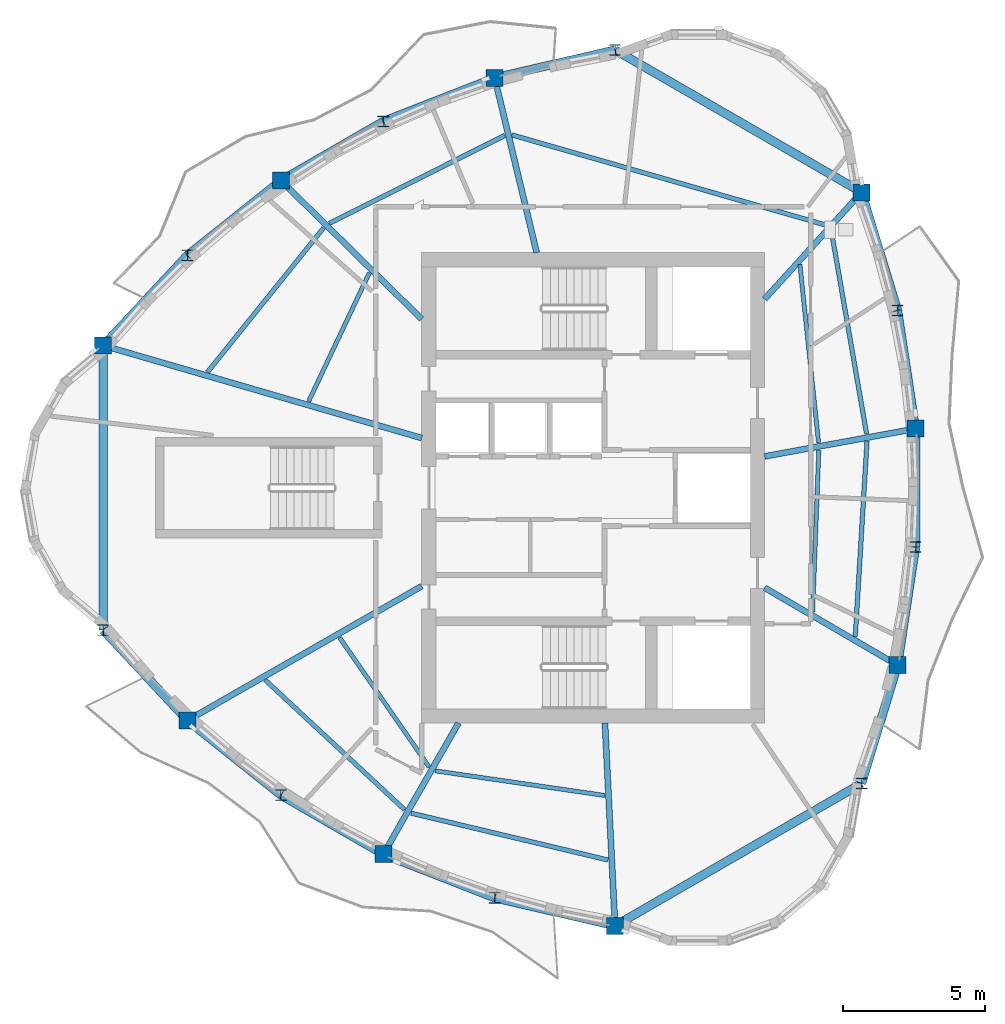
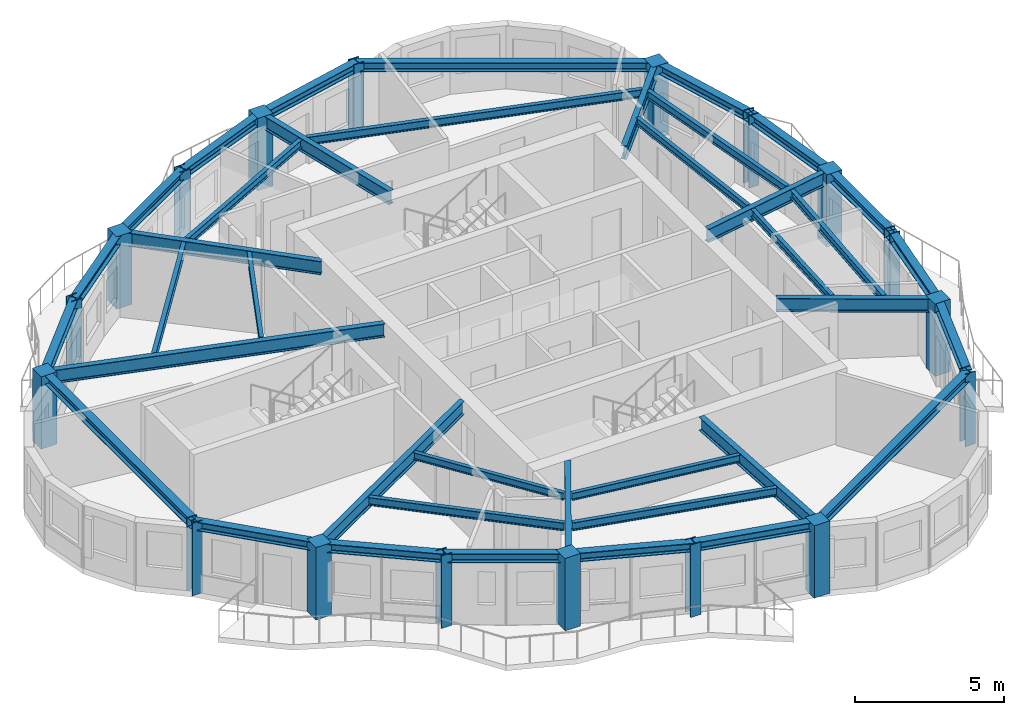
# One storey, part 1 of 11: 39 beams, 18 columns.
"""IFC4 building model written with IfcOpenShell, lengths in metres."""

import ifcopenshell
import ifcopenshell.guid

model = None  # the IFC model being written
_history = None  # IfcOwnerHistory: only IFC2X3 demands one
_inside = {}  # id of a spatial element -> (the spatial element, [elements in it])
_under = {}  # id of a project, library or spatial element -> (it, [spatial elements below it])
_declared = {}  # id of a project -> (the project, [libraries it declares])
_typed = {}  # id of a type object -> (the type object, [elements of that type])
_made_of = {}  # id of a material, layer set ... -> (it, [elements and type objects made of it])


def new_model(schema):
    """Start an empty IFC model of exactly this schema.

    Asked for "IFC4X3", IfcOpenShell would pick the latest addendum, in which some entities
    have other attributes; the version numbers below select the first issue.
    IFC2X3 requires an IfcOwnerHistory on every rooted entity: one is made here for all.
    """
    global model, _history
    if schema == "IFC4X3":
        model = ifcopenshell.file(schema_version=(4, 3, 0, 0))
    else:
        model = ifcopenshell.file(schema=schema)
    _inside.clear()
    _under.clear()
    _declared.clear()
    _typed.clear()
    _made_of.clear()
    _history = None
    if model.schema == "IFC2X3":
        org = make("IfcOrganization", Name="unknown")
        user = make(
            "IfcPersonAndOrganization",
            ThePerson=make("IfcPerson", FamilyName="unknown"),
            TheOrganization=org,
        )
        app = make(
            "IfcApplication",
            ApplicationDeveloper=org,
            Version="unknown",
            ApplicationFullName="unknown",
            ApplicationIdentifier="unknown",
        )
        _history = make(
            "IfcOwnerHistory",
            OwningUser=user,
            OwningApplication=app,
            ChangeAction="ADDED",
            CreationDate=0,
        )
    return model


def make(cls, **values):
    """One entity of the class cls with the attributes given. An attribute that is None is left unset."""
    return model.create_entity(
        cls, **{name: value for name, value in values.items() if value is not None}
    )


def rooted(cls, **values):
    """An entity with a GlobalId (a new one), such as an element, a storey or a relation."""
    return make(cls, GlobalId=ifcopenshell.guid.new(), OwnerHistory=_history, **values)


def si_unit(unit_type, name, prefix=None):
    """IfcSIUnit, for example si_unit("LENGTHUNIT", "METRE", prefix="MILLI")."""
    return make("IfcSIUnit", UnitType=unit_type, Prefix=prefix, Name=name)


def assignment(units):
    """IfcUnitAssignment: the units of a project."""
    return None if units is None else make("IfcUnitAssignment", Units=units)


def point(xyz):
    """IfcCartesianPoint."""
    return None if xyz is None else make("IfcCartesianPoint", Coordinates=xyz)


def direction(xyz):
    """IfcDirection."""
    return None if xyz is None else make("IfcDirection", DirectionRatios=xyz)


def frame(location, z_axis=None, x_axis=None):
    """IfcAxis2Placement3D, a coordinate frame: its origin and axes. An axis left out is left unset."""
    return make(
        "IfcAxis2Placement3D",
        Location=point(location),
        Axis=direction(z_axis),
        RefDirection=direction(x_axis),
    )


def frame_2d(location, x_axis=None):
    """IfcAxis2Placement2D, a coordinate frame in the plane: its origin and x axis."""
    return make(
        "IfcAxis2Placement2D", Location=point(location), RefDirection=direction(x_axis)
    )


def origin():
    """The frame at (0, 0, 0) with its axes left unset."""
    return frame((0.0, 0.0, 0.0))


def origin_2d():
    """The frame at (0, 0) in the plane with its x axis left unset."""
    return frame_2d((0.0, 0.0))


def place(relative_to, where):
    """IfcLocalPlacement: puts the frame where relative to a parent placement (None: the world)."""
    return make(
        "IfcLocalPlacement", PlacementRelTo=relative_to, RelativePlacement=where
    )


def context(
    kind, dimensions, precision=None, world=None, true_north=None, identifier=None
):
    """IfcGeometricRepresentationContext, for example the 3D "Model" context."""
    return make(
        "IfcGeometricRepresentationContext",
        ContextIdentifier=identifier,
        ContextType=kind,
        CoordinateSpaceDimension=dimensions,
        Precision=precision,
        WorldCoordinateSystem=world,
        TrueNorth=true_north,
    )


def subcontext(parent, identifier, kind, view, scale=None):
    """IfcGeometricRepresentationSubContext, for example "Body" below "Model"."""
    return make(
        "IfcGeometricRepresentationSubContext",
        ContextIdentifier=identifier,
        ContextType=kind,
        ParentContext=parent,
        TargetScale=scale,
        TargetView=view,
    )


def project(units=None, contexts=None):
    """IfcProject with its units and contexts."""
    return rooted(
        "IfcProject",
        Name="project",
        RepresentationContexts=contexts,
        UnitsInContext=assignment(units),
    )


def spatial(cls, under=None, at=None, **own):
    """A site, building, storey or space (cls), placed at a placement, below another one or the project."""
    s = rooted(cls, ObjectPlacement=at, **own)
    if under is not None:
        _under.setdefault(under.id(), (under, []))[1].append(s)
    return s


def profile(cls, at=None, kind="AREA", **sizes):
    """A parametric profile (cls). Its sizes go by their IFC names, for example OverallWidth=200.0."""
    return make(cls, ProfileType=kind, Position=at, **sizes)


def rectangle(**sizes):
    """IfcRectangleProfileDef."""
    return profile("IfcRectangleProfileDef", **sizes)


def i_section(**sizes):
    """IfcIShapeProfileDef."""
    return profile("IfcIShapeProfileDef", **sizes)


def extrude(swept, where, along, depth):
    """IfcExtrudedAreaSolid: the profile swept, set in the frame where, extruded along a direction by depth."""
    return make(
        "IfcExtrudedAreaSolid",
        SweptArea=swept,
        Position=where,
        ExtrudedDirection=direction(along),
        Depth=depth,
    )


def shape(context_of_items, identifier, shape_type, items):
    """IfcShapeRepresentation: the items that make up one representation, for example the "Body"."""
    return make(
        "IfcShapeRepresentation",
        ContextOfItems=context_of_items,
        RepresentationIdentifier=identifier,
        RepresentationType=shape_type,
        Items=items,
    )


def source(mapping_origin, context_of_items, identifier, shape_type, items):
    """IfcRepresentationMap: a shape defined once, which mapped items show again and again."""
    return make(
        "IfcRepresentationMap",
        MappingOrigin=mapping_origin,
        MappedRepresentation=shape(context_of_items, identifier, shape_type, items),
    )


def transform(
    local_origin,
    x_axis=None,
    y_axis=None,
    z_axis=None,
    scale=None,
    scale2=None,
    scale3=None,
    uniform=True,
):
    """IfcCartesianTransformationOperator3D, or its non-uniform kind. x_axis, y_axis, z_axis: its Axis1, 2, 3."""
    if uniform:
        return make(
            "IfcCartesianTransformationOperator3D",
            Axis1=direction(x_axis),
            Axis2=direction(y_axis),
            LocalOrigin=point(local_origin),
            Scale=scale,
            Axis3=direction(z_axis),
        )
    return make(
        "IfcCartesianTransformationOperator3DnonUniform",
        Axis1=direction(x_axis),
        Axis2=direction(y_axis),
        LocalOrigin=point(local_origin),
        Scale=scale,
        Axis3=direction(z_axis),
        Scale2=scale2,
        Scale3=scale3,
    )


def mapped(mapping_source, mapping_target):
    """IfcMappedItem: shows the shape of a source again, moved by a transform."""
    return make(
        "IfcMappedItem", MappingSource=mapping_source, MappingTarget=mapping_target
    )


def material(Name=None, Category=None):
    """IfcMaterial."""
    return make("IfcMaterial", Name=Name, Category=Category)


def material_profile(
    of_material, cross_section, Name=None, Category=None, Priority=None
):
    """IfcMaterialProfile: a cross section and its material."""
    return make(
        "IfcMaterialProfile",
        Name=Name,
        Material=of_material,
        Profile=cross_section,
        Priority=Priority,
        Category=Category,
    )


def profile_set(profiles, Name=None, composite=None):
    """IfcMaterialProfileSet."""
    return make(
        "IfcMaterialProfileSet",
        Name=Name,
        MaterialProfiles=profiles,
        CompositeProfile=composite,
    )


def made_of(thing, what):
    """Note that an element or type object is made of a material, layer set ...; save() writes the relation."""
    if what is not None:
        _made_of.setdefault(what.id(), (what, []))[1].append(thing)
    return thing


def type_object(cls, material=None, **own):
    """A type object (cls), such as IfcWallType, which elements share."""
    return made_of(rooted(cls, **own), material)


def element(
    cls,
    number,
    at=None,
    inside=None,
    cuts=None,
    type_object=None,
    material=None,
    context=None,
    identifier="Body",
    shape_type=None,
    held_by="IfcProductDefinitionShape",
    body=None,
    shapes=None,
    **own,
):
    """One element of the class cls, such as IfcWall. Its Tag is "e" and its number.

    at: its placement. inside: the storey or other place that contains it. cuts: it is an
    opening in that element (IfcRelVoidsElement). A single representation is given by context,
    identifier, shape_type and body (its items); several are given by shapes. held_by: the class
    of the entity that holds the representations. save() writes the other relations.
    """
    e = rooted(cls, Tag="e%d" % number, ObjectPlacement=at, **own)
    if body is not None:
        shapes = [shape(context, identifier, shape_type, body)]
    if shapes is not None:
        e.Representation = make(held_by, Representations=shapes)
    if inside is not None:
        _inside.setdefault(inside.id(), (inside, []))[1].append(e)
    if cuts is not None:
        rooted(
            "IfcRelVoidsElement", RelatingBuildingElement=cuts, RelatedOpeningElement=e
        )
    if type_object is not None:
        _typed.setdefault(type_object.id(), (type_object, []))[1].append(e)
    return made_of(e, material)


def aggregate(whole, parts):
    """IfcRelAggregates: a whole, such as a stair, and the parts it consists of."""
    return rooted("IfcRelAggregates", RelatingObject=whole, RelatedObjects=parts)


def save(model, path):
    """Write the relations noted so far, then the file.

    IfcRelAggregates (storeys below a building ...), IfcRelContainedInSpatialStructure (elements
    in a storey), IfcRelDefinesByType, IfcRelAssociatesMaterial and IfcRelDeclares: one each for
    every whole, place, type object, material and project.
    """
    for whole, parts in _under.values():
        aggregate(whole, parts)
    for where, things in _inside.values():
        rooted(
            "IfcRelContainedInSpatialStructure",
            RelatedElements=things,
            RelatingStructure=where,
        )
    for kind, things in _typed.values():
        rooted("IfcRelDefinesByType", RelatedObjects=things, RelatingType=kind)
    for what, things in _made_of.values():
        rooted("IfcRelAssociatesMaterial", RelatedObjects=things, RelatingMaterial=what)
    for by, libraries in _declared.values():
        rooted("IfcRelDeclares", RelatingContext=by, RelatedDefinitions=libraries)
    model.write(path)


model = new_model("IFC4")

# Units and contexts
model_context = context("Model", 3, precision=1e-05, world=origin(), true_north=direction((0.0, 1.0)))
body_context = subcontext(model_context, "Body", "Model", "MODEL_VIEW")
ifc_project = project(units=[si_unit("LENGTHUNIT", "METRE"), si_unit("AREAUNIT", "SQUARE_METRE"), si_unit("VOLUMEUNIT", "CUBIC_METRE"), si_unit("PLANEANGLEUNIT", "RADIAN"), si_unit("MASSUNIT", "GRAM", prefix="KILO")], contexts=[model_context])

# Site, building, storey
site_placement = place(None, origin())
site = spatial("IfcSite", under=ifc_project, at=site_placement, CompositionType="ELEMENT")
building_placement = place(site_placement, origin())
building = spatial("IfcBuilding", under=site, at=building_placement, Name="Qafzar Sky-Pleat Residences", CompositionType="ELEMENT")
storey_placement = place(building_placement, frame((0.0, 0.0, 227.60009765625)))
storey = spatial("IfcBuildingStorey", under=building, at=storey_placement, Name="L68", CompositionType="ELEMENT", Elevation=227.60009765625)

# Columns
ifc_material_1 = material(Name="Concrete C50/60", Category="concrete")
ifc_material_profile_1 = material_profile(ifc_material_1, rectangle(XDim=0.60009765625, YDim=0.60009765625, at=origin_2d()), Name="RC 600x600")
ifc_profile_set_1 = profile_set([ifc_material_profile_1], Name="Concrete C50/60")
column_type_1 = type_object("IfcColumnType", Name="COL-RC-600", PredefinedType="COLUMN", material=ifc_profile_set_1)
shared_shape_1 = source(origin(), body_context, "Body", "SweptSolid", [
    extrude(rectangle(XDim=0.60009765625, YDim=0.60009765625, at=origin_2d()), origin(), (0.0, 0.0, 1.0), 2.9599609375),
])
for number, where, z_axis, x_axis, name in (
    (1, (13.054931640625, 31.02294921875, 0.0), (0.0, 0.0, 1.0), (1.0, 0.0, 0.0), "L68 Perimeter Mega Column 1"),
    (2, (16.0341796875, 17.792236328125, 0.0), (0.0, 0.0, 1.0), (1.0, 0.0, 0.0), "L68 Perimeter Mega Column 3"),
    (3, (22.944091796875, 13.070556640625, 0.0), (0.0, 0.0, 1.0), (1.0, 0.0, 0.0), "L68 Perimeter Mega Column 5"),
    (4, (31.12255859375, 10.5458984375, 0.0), (0.0, 0.0, 1.0), (1.0, 0.0, 0.0), "L68 Perimeter Mega Column 7"),
    (5, (41.0908203125, 19.7412109375, 0.0), (0.0, 0.0, 1.0), (1.0, 0.0, 0.0), "L68 Perimeter Mega Column 9"),
    (6, (41.72509765625, 28.086181640625, 0.0), (0.0, 0.0, 1.0), (1.0, 0.0, 0.0), "L68 Perimeter Mega Column 11"),
    (7, (39.822509765625, 36.431396484375, 0.0), (0.0, 0.0, 1.0), (1.0, 0.0, 0.0), "L68 Perimeter Mega Column 13"),
    (8, (26.874755859375, 40.466552734375, 0.0), (0.0, 0.0, 1.0), (1.0, 0.0, 0.0), "L68 Perimeter Mega Column 15"),
    (9, (19.330810546875, 36.84326171875, 0.0), (0.0, 0.0, 1.0), (1.0, 0.0, 0.0), "L68 Perimeter Mega Column 17"),
):
    element("IfcColumn", number, at=place(storey_placement, frame(where, z_axis=z_axis, x_axis=x_axis)), inside=storey, type_object=column_type_1, Name=name, PredefinedType="COLUMN", context=body_context, shape_type="MappedRepresentation", body=[
        mapped(shared_shape_1, transform((0.0, 0.0, 0.0), x_axis=(1.0, 0.0, 0.0), y_axis=(0.0, 1.0, 0.0), z_axis=(0.0, 0.0, 1.0), scale=1.0)),
    ])
ifc_material_2 = material(Name="Steel S355", Category="steel")
ifc_material_profile_2 = material_profile(ifc_material_2, i_section(OverallWidth=0.39794921875, OverallDepth=0.386962890625, WebThickness=0.01904296875, FlangeThickness=0.030029296875, FilletRadius=0.014892578125, at=origin_2d()), Name="HD 400x262")
ifc_profile_set_2 = profile_set([ifc_material_profile_2], Name="Steel S355")
column_type_2 = type_object("IfcColumnType", Name="COL-STL-HD262", PredefinedType="PILASTER", material=ifc_profile_set_2)
shared_shape_2 = source(origin(), body_context, "Body", "SweptSolid", [
    extrude(i_section(OverallWidth=0.39794921875, OverallDepth=0.386962890625, WebThickness=0.01904296875, FlangeThickness=0.030029296875, FilletRadius=0.014892578125, at=origin_2d()), origin(), (0.0, 0.0, 1.0), 2.9599609375),
])
for number, where, z_axis, x_axis, name in (
    (10, (13.054931640625, 20.97705078125, 0.0), (0.0, 0.0, 1.0), (1.0, 0.0, 0.0), "L68 Perimeter Mega Column 2"),
    (11, (19.330810546875, 15.15673828125, 0.0), (0.0, 0.0, 1.0), (1.0, 0.0, 0.0), "L68 Perimeter Mega Column 4"),
    (12, (26.874755859375, 11.533447265625, 0.0), (0.0, 0.0, 1.0), (1.0, 0.0, 0.0), "L68 Perimeter Mega Column 6"),
    (13, (39.822509765625, 15.568603515625, 0.0), (0.0, 0.0, 1.0), (1.0, 0.0, 0.0), "L68 Perimeter Mega Column 8"),
    (14, (41.72509765625, 23.913818359375, 0.0), (0.0, 0.0, 1.0), (1.0, 0.0, 0.0), "L68 Perimeter Mega Column 10"),
    (15, (41.0908203125, 32.2587890625, 0.0), (0.0, 0.0, 1.0), (1.0, 0.0, 0.0), "L68 Perimeter Mega Column 12"),
    (16, (31.12255859375, 41.4541015625, 0.0), (0.0, 0.0, 1.0), (1.0, 0.0, 0.0), "L68 Perimeter Mega Column 14"),
    (17, (22.944091796875, 38.929443359375, 0.0), (0.0, 0.0, 1.0), (1.0, 0.0, 0.0), "L68 Perimeter Mega Column 16"),
    (18, (16.0341796875, 34.207763671875, 0.0), (0.0, 0.0, 1.0), (1.0, 0.0, 0.0), "L68 Perimeter Mega Column 18"),
):
    element("IfcColumn", number, at=place(storey_placement, frame(where, z_axis=z_axis, x_axis=x_axis)), inside=storey, type_object=column_type_2, Name=name, PredefinedType="PILASTER", context=body_context, shape_type="MappedRepresentation", body=[
        mapped(shared_shape_2, transform((0.0, 0.0, 0.0), x_axis=(1.0, 0.0, 0.0), y_axis=(0.0, 1.0, 0.0), z_axis=(0.0, 0.0, 1.0), scale=1.0)),
    ])

# Beams
ifc_material_profile_3 = material_profile(ifc_material_2, i_section(OverallWidth=0.300048828125, OverallDepth=0.360107421875, WebThickness=0.012451171875, FlangeThickness=0.0224609375, FilletRadius=0.027099609375, at=origin_2d()), Name="HEB 360")
ifc_profile_set_3 = profile_set([ifc_material_profile_3], Name="Steel S355")
beam_type_1 = type_object("IfcBeamType", Name="BM-SPAN-HEB360", PredefinedType="SPANDREL", material=ifc_profile_set_3)
shared_shape_3 = source(origin(), body_context, "Body", "SweptSolid", [
    extrude(i_section(OverallWidth=0.300048828125, OverallDepth=0.360107421875, WebThickness=0.012451171875, FlangeThickness=0.0224609375, FilletRadius=0.027099609375, at=origin_2d()), origin(), (0.0, 0.0, 1.0), 10.0458984375),
])
beam_1_placement = place(storey_placement, frame((13.054931640625, 31.02294921875, 2.77783203125), z_axis=(0.0, -1.0, 0.0), x_axis=(1.0, 0.0, 0.0)))
element("IfcBeam", 19, at=beam_1_placement, inside=storey, type_object=beam_type_1, Name="L68 Perimeter Spandrel Beam 1", PredefinedType="SPANDREL", context=body_context, shape_type="MappedRepresentation", body=[
    mapped(shared_shape_3, transform((0.0, 0.0, 0.0), x_axis=(1.0, 0.0, 0.0), y_axis=(0.0, 1.0, 0.0), z_axis=(0.0, 0.0, 1.0), scale=1.0)),
])
shared_shape_4 = source(origin(), body_context, "Body", "SweptSolid", [
    extrude(i_section(OverallWidth=0.300048828125, OverallDepth=0.360107421875, WebThickness=0.012451171875, FlangeThickness=0.0224609375, FilletRadius=0.027099609375, at=origin_2d()), origin(), (0.0, 0.0, 1.0), 4.361083984375),
])
for number, where, z_axis, x_axis, name in (
    (20, (13.054931640625, 20.97705078125, 2.77783203125), (0.683145571965, -0.730282224558, 0.0), (0.730282224558, 0.683145571965, 0.0), "L68 Perimeter Spandrel Beam 2"),
    (21, (26.874755859375, 11.533447265625, 2.77783203125), (0.974023822453, -0.226445563643, 0.0), (0.226445563643, 0.974023822453, 0.0), "L68 Perimeter Spandrel Beam 6"),
    (22, (39.822509765625, 15.568603515625, 2.77783203125), (0.290822997681, 0.956776872641, 0.0), (-0.956776872641, 0.290822997681, 0.0), "L68 Perimeter Spandrel Beam 8"),
    (23, (41.0908203125, 32.2587890625, 2.77783203125), (-0.290822997681, 0.956776872641, 0.0), (-0.956776872641, -0.290822997681, 0.0), "L68 Perimeter Spandrel Beam 12"),
    (24, (31.12255859375, 41.4541015625, 2.77783203125), (-0.974023822453, -0.226445563643, 0.0), (0.226445563643, -0.974023822453, 0.0), "L68 Perimeter Spandrel Beam 14"),
    (25, (16.0341796875, 34.207763671875, 2.77783203125), (-0.683145571965, -0.730282224558, 0.0), (0.730282224558, -0.683145571965, 0.0), "L68 Perimeter Spandrel Beam 18"),
):
    element("IfcBeam", number, at=place(storey_placement, frame(where, z_axis=z_axis, x_axis=x_axis)), inside=storey, type_object=beam_type_1, Name=name, PredefinedType="SPANDREL", context=body_context, shape_type="MappedRepresentation", body=[
        mapped(shared_shape_4, transform((0.0, 0.0, 0.0), x_axis=(1.0, 0.0, 0.0), y_axis=(0.0, 1.0, 0.0), z_axis=(0.0, 0.0, 1.0), scale=1.0)),
    ])
shared_shape_5 = source(origin(), body_context, "Body", "SweptSolid", [
    extrude(i_section(OverallWidth=0.300048828125, OverallDepth=0.360107421875, WebThickness=0.012451171875, FlangeThickness=0.0224609375, FilletRadius=0.027099609375, at=origin_2d()), origin(), (0.0, 0.0, 1.0), 4.220703125),
])
for number, where, z_axis, x_axis, name in (
    (26, (16.0341796875, 17.792236328125, 2.77783203125), (0.781077571238, -0.624434005888, 0.0), (0.624434005888, 0.781077571238, 0.0), "L68 Perimeter Spandrel Beam 3"),
    (27, (19.330810546875, 36.84326171875, 2.77783203125), (-0.781077571238, -0.624434005888, 0.0), (0.624434005888, -0.781077571238, 0.0), "L68 Perimeter Spandrel Beam 17"),
):
    element("IfcBeam", number, at=place(storey_placement, frame(where, z_axis=z_axis, x_axis=x_axis)), inside=storey, type_object=beam_type_1, Name=name, PredefinedType="SPANDREL", context=body_context, shape_type="MappedRepresentation", body=[
        mapped(shared_shape_5, transform((0.0, 0.0, 0.0), x_axis=(1.0, 0.0, 0.0), y_axis=(0.0, 1.0, 0.0), z_axis=(0.0, 0.0, 1.0), scale=1.0)),
    ])
shared_shape_6 = source(origin(), body_context, "Body", "SweptSolid", [
    extrude(i_section(OverallWidth=0.300048828125, OverallDepth=0.360107421875, WebThickness=0.012451171875, FlangeThickness=0.0224609375, FilletRadius=0.027099609375, at=origin_2d()), origin(), (0.0, 0.0, 1.0), 4.17236328125),
])
for number, where, z_axis, x_axis, name in (
    (28, (19.330810546875, 15.15673828125, 2.77783203125), (0.866019930389, -0.500009480079, 0.0), (0.500009480079, 0.866019930389, 0.0), "L68 Perimeter Spandrel Beam 4"),
    (29, (41.72509765625, 23.913818359375, 2.77783203125), (0.0, 1.0, 0.0), (-1.0, 0.0, 0.0), "L68 Perimeter Spandrel Beam 10"),
    (30, (22.944091796875, 38.929443359375, 2.77783203125), (-0.866019930389, -0.500009480079, 0.0), (0.500009480079, -0.866019930389, 0.0), "L68 Perimeter Spandrel Beam 16"),
):
    element("IfcBeam", number, at=place(storey_placement, frame(where, z_axis=z_axis, x_axis=x_axis)), inside=storey, type_object=beam_type_1, Name=name, PredefinedType="SPANDREL", context=body_context, shape_type="MappedRepresentation", body=[
        mapped(shared_shape_6, transform((0.0, 0.0, 0.0), x_axis=(1.0, 0.0, 0.0), y_axis=(0.0, 1.0, 0.0), z_axis=(0.0, 0.0, 1.0), scale=1.0)),
    ])
shared_shape_7 = source(origin(), body_context, "Body", "SweptSolid", [
    extrude(i_section(OverallWidth=0.300048828125, OverallDepth=0.360107421875, WebThickness=0.012451171875, FlangeThickness=0.0224609375, FilletRadius=0.027099609375, at=origin_2d()), origin(), (0.0, 0.0, 1.0), 4.220458984375),
])
for number, where, z_axis, x_axis, name in (
    (31, (22.944091796875, 13.070556640625, 2.77783203125), (0.931321276977, -0.364198680736, 0.0), (0.364198680736, 0.931321276977, 0.0), "L68 Perimeter Spandrel Beam 5"),
    (32, (41.0908203125, 19.7412109375, 2.77783203125), (0.150283446733, 0.988642951544, 0.0), (-0.988642951544, 0.150283446733, 0.0), "L68 Perimeter Spandrel Beam 9"),
    (33, (41.72509765625, 28.086181640625, 2.77783203125), (-0.150283446733, 0.988642951544, 0.0), (-0.988642951544, -0.150283446733, 0.0), "L68 Perimeter Spandrel Beam 11"),
    (34, (26.874755859375, 40.466552734375, 2.77783203125), (-0.931321276977, -0.364198680736, 0.0), (0.364198680736, -0.931321276977, 0.0), "L68 Perimeter Spandrel Beam 15"),
):
    element("IfcBeam", number, at=place(storey_placement, frame(where, z_axis=z_axis, x_axis=x_axis)), inside=storey, type_object=beam_type_1, Name=name, PredefinedType="SPANDREL", context=body_context, shape_type="MappedRepresentation", body=[
        mapped(shared_shape_7, transform((0.0, 0.0, 0.0), x_axis=(1.0, 0.0, 0.0), y_axis=(0.0, 1.0, 0.0), z_axis=(0.0, 0.0, 1.0), scale=1.0)),
    ])
shared_shape_8 = source(origin(), body_context, "Body", "SweptSolid", [
    extrude(i_section(OverallWidth=0.300048828125, OverallDepth=0.360107421875, WebThickness=0.012451171875, FlangeThickness=0.0224609375, FilletRadius=0.027099609375, at=origin_2d()), origin(), (0.0, 0.0, 1.0), 10.045654296875),
])
for number, where, z_axis, x_axis, name in (
    (35, (31.12255859375, 10.5458984375, 2.77783203125), (0.866034631067, 0.499984017537, 0.0), (-0.499984017537, 0.866034631067, 0.0), "L68 Perimeter Spandrel Beam 7"),
    (36, (39.822509765625, 36.431396484375, 2.77783203125), (-0.866034631067, 0.499984017537, 0.0), (-0.499984017537, -0.866034631067, 0.0), "L68 Perimeter Spandrel Beam 13"),
):
    element("IfcBeam", number, at=place(storey_placement, frame(where, z_axis=z_axis, x_axis=x_axis)), inside=storey, type_object=beam_type_1, Name=name, PredefinedType="SPANDREL", context=body_context, shape_type="MappedRepresentation", body=[
        mapped(shared_shape_8, transform((0.0, 0.0, 0.0), x_axis=(1.0, 0.0, 0.0), y_axis=(0.0, 1.0, 0.0), z_axis=(0.0, 0.0, 1.0), scale=1.0)),
    ])
ifc_material_profile_4 = material_profile(ifc_material_2, i_section(OverallWidth=0.2099609375, OverallDepth=0.550048828125, WebThickness=0.010986328125, FlangeThickness=0.01708984375, FilletRadius=0.02392578125, at=origin_2d()), Name="IPE 550")
ifc_profile_set_4 = profile_set([ifc_material_profile_4], Name="Steel S355")
beam_type_2 = type_object("IfcBeamType", Name="BM-SEC-IPE550", PredefinedType="BEAM", material=ifc_profile_set_4)
shared_shape_9 = source(origin(), body_context, "Body", "SweptSolid", [
    extrude(i_section(OverallWidth=0.2099609375, OverallDepth=0.550048828125, WebThickness=0.010986328125, FlangeThickness=0.01708984375, FilletRadius=0.02392578125, at=origin_2d()), origin(), (0.0, 0.0, 1.0), 11.709716796875),
])
beam_2_placement = place(storey_placement, frame((13.054931640625, 31.02294921875, 2.682861328125), z_axis=(0.96031975059, -0.278901374373, 0.0), x_axis=(0.278901374373, 0.96031975059, 0.0)))
element("IfcBeam", 37, at=beam_2_placement, inside=storey, type_object=beam_type_2, Name="L68 Radial Floor Girder 1", PredefinedType="BEAM", context=body_context, shape_type="MappedRepresentation", body=[
    mapped(shared_shape_9, transform((0.0, 0.0, 0.0), x_axis=(1.0, 0.0, 0.0), y_axis=(0.0, 1.0, 0.0), z_axis=(0.0, 0.0, 1.0), scale=1.0)),
])
shared_shape_10 = source(origin(), body_context, "Body", "SweptSolid", [
    extrude(i_section(OverallWidth=0.2099609375, OverallDepth=0.550048828125, WebThickness=0.010986328125, FlangeThickness=0.01708984375, FilletRadius=0.02392578125, at=origin_2d()), origin(), (0.0, 0.0, 1.0), 9.528076171875),
])
beam_3_placement = place(storey_placement, frame((16.0341796875, 17.792236328125, 2.682861328125), z_axis=(0.86753426155, 0.497377427148, 0.0), x_axis=(-0.497377427148, 0.86753426155, 0.0)))
element("IfcBeam", 38, at=beam_3_placement, inside=storey, type_object=beam_type_2, Name="L68 Radial Floor Girder 3", PredefinedType="BEAM", context=body_context, shape_type="MappedRepresentation", body=[
    mapped(shared_shape_10, transform((0.0, 0.0, 0.0), x_axis=(1.0, 0.0, 0.0), y_axis=(0.0, 1.0, 0.0), z_axis=(0.0, 0.0, 1.0), scale=1.0)),
])
shared_shape_11 = source(origin(), body_context, "Body", "SweptSolid", [
    extrude(i_section(OverallWidth=0.2099609375, OverallDepth=0.550048828125, WebThickness=0.010986328125, FlangeThickness=0.01708984375, FilletRadius=0.02392578125, at=origin_2d()), origin(), (0.0, 0.0, 1.0), 5.335205078125),
])
beam_4_placement = place(storey_placement, frame((22.944091796875, 13.070556640625, 2.682861328125), z_axis=(0.497055288621, 0.867718871556, 0.0), x_axis=(-0.867718871556, 0.497055288621, 0.0)))
element("IfcBeam", 39, at=beam_4_placement, inside=storey, type_object=beam_type_2, Name="L68 Radial Floor Girder 5", PredefinedType="BEAM", context=body_context, shape_type="MappedRepresentation", body=[
    mapped(shared_shape_11, transform((0.0, 0.0, 0.0), x_axis=(1.0, 0.0, 0.0), y_axis=(0.0, 1.0, 0.0), z_axis=(0.0, 0.0, 1.0), scale=1.0)),
])
shared_shape_12 = source(origin(), body_context, "Body", "SweptSolid", [
    extrude(i_section(OverallWidth=0.2099609375, OverallDepth=0.550048828125, WebThickness=0.010986328125, FlangeThickness=0.01708984375, FilletRadius=0.02392578125, at=origin_2d()), origin(), (0.0, 0.0, 1.0), 7.1630859375),
])
beam_5_placement = place(storey_placement, frame((31.12255859375, 10.5458984375, 2.682861328125), z_axis=(-0.049932517148, 0.998752593855, 0.0), x_axis=(-0.998752593855, -0.049932517148, 0.0)))
element("IfcBeam", 40, at=beam_5_placement, inside=storey, type_object=beam_type_2, Name="L68 Radial Floor Girder 7", PredefinedType="BEAM", context=body_context, shape_type="MappedRepresentation", body=[
    mapped(shared_shape_12, transform((0.0, 0.0, 0.0), x_axis=(1.0, 0.0, 0.0), y_axis=(0.0, 1.0, 0.0), z_axis=(0.0, 0.0, 1.0), scale=1.0)),
])
shared_shape_13 = source(origin(), body_context, "Body", "SweptSolid", [
    extrude(i_section(OverallWidth=0.2099609375, OverallDepth=0.550048828125, WebThickness=0.010986328125, FlangeThickness=0.01708984375, FilletRadius=0.02392578125, at=origin_2d()), origin(), (0.0, 0.0, 1.0), 5.42919921875),
])
beam_6_placement = place(storey_placement, frame((41.0908203125, 19.7412109375, 2.682861328125), z_axis=(-0.864016925636, 0.503462761498, 0.0), x_axis=(-0.503462761498, -0.864016925636, 0.0)))
element("IfcBeam", 41, at=beam_6_placement, inside=storey, type_object=beam_type_2, Name="L68 Radial Floor Girder 9", PredefinedType="BEAM", context=body_context, shape_type="MappedRepresentation", body=[
    mapped(shared_shape_13, transform((0.0, 0.0, 0.0), x_axis=(1.0, 0.0, 0.0), y_axis=(0.0, 1.0, 0.0), z_axis=(0.0, 0.0, 1.0), scale=1.0)),
])
shared_shape_14 = source(origin(), body_context, "Body", "SweptSolid", [
    extrude(i_section(OverallWidth=0.2099609375, OverallDepth=0.550048828125, WebThickness=0.010986328125, FlangeThickness=0.01708984375, FilletRadius=0.02392578125, at=origin_2d()), origin(), (0.0, 0.0, 1.0), 5.4140625),
])
beam_7_placement = place(storey_placement, frame((41.72509765625, 28.086181640625, 2.682861328125), z_axis=(-0.983597491217, -0.180377313629, 0.0), x_axis=(0.180377313629, -0.983597491217, 0.0)))
element("IfcBeam", 42, at=beam_7_placement, inside=storey, type_object=beam_type_2, Name="L68 Radial Floor Girder 11", PredefinedType="BEAM", context=body_context, shape_type="MappedRepresentation", body=[
    mapped(shared_shape_14, transform((0.0, 0.0, 0.0), x_axis=(1.0, 0.0, 0.0), y_axis=(0.0, 1.0, 0.0), z_axis=(0.0, 0.0, 1.0), scale=1.0)),
])
shared_shape_15 = source(origin(), body_context, "Body", "SweptSolid", [
    extrude(i_section(OverallWidth=0.2099609375, OverallDepth=0.550048828125, WebThickness=0.010986328125, FlangeThickness=0.01708984375, FilletRadius=0.02392578125, at=origin_2d()), origin(), (0.0, 0.0, 1.0), 5.091064453125),
])
beam_8_placement = place(storey_placement, frame((39.822509765625, 36.431396484375, 2.682861328125), z_axis=(-0.672264541765, -0.740311006189, 0.0), x_axis=(0.740311006189, -0.672264541765, 0.0)))
element("IfcBeam", 43, at=beam_8_placement, inside=storey, type_object=beam_type_2, Name="L68 Radial Floor Girder 13", PredefinedType="BEAM", context=body_context, shape_type="MappedRepresentation", body=[
    mapped(shared_shape_15, transform((0.0, 0.0, 0.0), x_axis=(1.0, 0.0, 0.0), y_axis=(0.0, 1.0, 0.0), z_axis=(0.0, 0.0, 1.0), scale=1.0)),
])
shared_shape_16 = source(origin(), body_context, "Body", "SweptSolid", [
    extrude(i_section(OverallWidth=0.2099609375, OverallDepth=0.550048828125, WebThickness=0.010986328125, FlangeThickness=0.01708984375, FilletRadius=0.02392578125, at=origin_2d()), origin(), (0.0, 0.0, 1.0), 6.342041015625),
])
beam_9_placement = place(storey_placement, frame((26.874755859375, 40.466552734375, 2.682861328125), z_axis=(0.233594255251, -0.972334162679, 0.0), x_axis=(0.972334162679, 0.233594255251, 0.0)))
element("IfcBeam", 44, at=beam_9_placement, inside=storey, type_object=beam_type_2, Name="L68 Radial Floor Girder 15", PredefinedType="BEAM", context=body_context, shape_type="MappedRepresentation", body=[
    mapped(shared_shape_16, transform((0.0, 0.0, 0.0), x_axis=(1.0, 0.0, 0.0), y_axis=(0.0, 1.0, 0.0), z_axis=(0.0, 0.0, 1.0), scale=1.0)),
])
shared_shape_17 = source(origin(), body_context, "Body", "SweptSolid", [
    extrude(i_section(OverallWidth=0.2099609375, OverallDepth=0.550048828125, WebThickness=0.010986328125, FlangeThickness=0.01708984375, FilletRadius=0.02392578125, at=origin_2d()), origin(), (0.0, 0.0, 1.0), 6.9716796875),
])
beam_10_placement = place(storey_placement, frame((19.330810546875, 36.84326171875, 2.682861328125), z_axis=(0.712774452221, -0.701393313527, 0.0), x_axis=(0.701393313527, 0.712774452221, 0.0)))
element("IfcBeam", 45, at=beam_10_placement, inside=storey, type_object=beam_type_2, Name="L68 Radial Floor Girder 17", PredefinedType="BEAM", context=body_context, shape_type="MappedRepresentation", body=[
    mapped(shared_shape_17, transform((0.0, 0.0, 0.0), x_axis=(1.0, 0.0, 0.0), y_axis=(0.0, 1.0, 0.0), z_axis=(0.0, 0.0, 1.0), scale=1.0)),
])
ifc_material_profile_5 = material_profile(ifc_material_2, i_section(OverallWidth=0.159912109375, OverallDepth=0.330078125, WebThickness=0.007568359375, FlangeThickness=0.011474609375, FilletRadius=0.01806640625, at=origin_2d()), Name="IPE 330")
ifc_profile_set_5 = profile_set([ifc_material_profile_5], Name="Steel S355")
beam_type_3 = type_object("IfcBeamType", Name="BM-JST-IPE330", PredefinedType="JOIST", material=ifc_profile_set_5)
shared_shape_18 = source(origin(), body_context, "Body", "SweptSolid", [
    extrude(i_section(OverallWidth=0.159912109375, OverallDepth=0.330078125, WebThickness=0.007568359375, FlangeThickness=0.011474609375, FilletRadius=0.01806640625, at=origin_2d()), origin(), (0.0, 0.0, 1.0), 6.7138671875),
])
beam_11_placement = place(storey_placement, frame((18.7783203125, 19.216796875, 2.79296875), z_axis=(0.732155950712, -0.681137037488, 0.0), x_axis=(0.681137037488, 0.732155950712, 0.0)))
element("IfcBeam", 46, at=beam_11_placement, inside=storey, type_object=beam_type_3, Name="L68 Outer Secondary Floor Joist 2", PredefinedType="JOIST", context=body_context, shape_type="MappedRepresentation", body=[
    mapped(shared_shape_18, transform((0.0, 0.0, 0.0), x_axis=(1.0, 0.0, 0.0), y_axis=(0.0, 1.0, 0.0), z_axis=(0.0, 0.0, 1.0), scale=1.0)),
])
shared_shape_19 = source(origin(), body_context, "Body", "SweptSolid", [
    extrude(i_section(OverallWidth=0.159912109375, OverallDepth=0.330078125, WebThickness=0.007568359375, FlangeThickness=0.011474609375, FilletRadius=0.01806640625, at=origin_2d()), origin(), (0.0, 0.0, 1.0), 7.146728515625),
])
beam_12_placement = place(storey_placement, frame((23.924072265625, 14.520751953125, 2.79296875), z_axis=(0.972840658281, -0.231475816438, 0.0), x_axis=(0.231475816438, 0.972840658281, 0.0)))
element("IfcBeam", 47, at=beam_12_placement, inside=storey, type_object=beam_type_3, Name="L68 Outer Secondary Floor Joist 3", PredefinedType="JOIST", context=body_context, shape_type="MappedRepresentation", body=[
    mapped(shared_shape_19, transform((0.0, 0.0, 0.0), x_axis=(1.0, 0.0, 0.0), y_axis=(0.0, 1.0, 0.0), z_axis=(0.0, 0.0, 1.0), scale=1.0)),
])
shared_shape_20 = source(origin(), body_context, "Body", "SweptSolid", [
    extrude(i_section(OverallWidth=0.159912109375, OverallDepth=0.330078125, WebThickness=0.007568359375, FlangeThickness=0.011474609375, FilletRadius=0.01806640625, at=origin_2d()), origin(), (0.0, 0.0, 1.0), 6.90087890625),
])
beam_13_placement = place(storey_placement, frame((39.597900390625, 20.75048828125, 2.79296875), z_axis=(0.060142571509, 0.998189797129, 0.0), x_axis=(-0.998189797129, 0.060142571509, 0.0)))
element("IfcBeam", 48, at=beam_13_placement, inside=storey, type_object=beam_type_3, Name="L68 Outer Secondary Floor Joist 5", PredefinedType="JOIST", context=body_context, shape_type="MappedRepresentation", body=[
    mapped(shared_shape_20, transform((0.0, 0.0, 0.0), x_axis=(1.0, 0.0, 0.0), y_axis=(0.0, 1.0, 0.0), z_axis=(0.0, 0.0, 1.0), scale=1.0)),
])
shared_shape_21 = source(origin(), body_context, "Body", "SweptSolid", [
    extrude(i_section(OverallWidth=0.159912109375, OverallDepth=0.330078125, WebThickness=0.007568359375, FlangeThickness=0.011474609375, FilletRadius=0.01806640625, at=origin_2d()), origin(), (0.0, 0.0, 1.0), 7.29296875),
])
beam_14_placement = place(storey_placement, frame((39.998046875, 27.90673828125, 2.79296875), z_axis=(-0.171061445114, 0.985260362542, 0.0), x_axis=(-0.985260362542, -0.171061445114, 0.0)))
element("IfcBeam", 49, at=beam_14_placement, inside=storey, type_object=beam_type_3, Name="L68 Outer Secondary Floor Joist 6", PredefinedType="JOIST", context=body_context, shape_type="MappedRepresentation", body=[
    mapped(shared_shape_21, transform((0.0, 0.0, 0.0), x_axis=(1.0, 0.0, 0.0), y_axis=(0.0, 1.0, 0.0), z_axis=(0.0, 0.0, 1.0), scale=1.0)),
])
shared_shape_22 = source(origin(), body_context, "Body", "SweptSolid", [
    extrude(i_section(OverallWidth=0.159912109375, OverallDepth=0.330078125, WebThickness=0.007568359375, FlangeThickness=0.011474609375, FilletRadius=0.01806640625, at=origin_2d()), origin(), (0.0, 0.0, 1.0), 11.568359375),
])
beam_15_placement = place(storey_placement, frame((38.597412109375, 35.262451171875, 2.79296875), z_axis=(-0.961139955234, 0.276061562796, 0.0), x_axis=(-0.276061562796, -0.961139955234, 0.0)))
element("IfcBeam", 50, at=beam_15_placement, inside=storey, type_object=beam_type_3, Name="L68 Outer Secondary Floor Joist 7", PredefinedType="JOIST", context=body_context, shape_type="MappedRepresentation", body=[
    mapped(shared_shape_22, transform((0.0, 0.0, 0.0), x_axis=(1.0, 0.0, 0.0), y_axis=(0.0, 1.0, 0.0), z_axis=(0.0, 0.0, 1.0), scale=1.0)),
])
shared_shape_23 = source(origin(), body_context, "Body", "SweptSolid", [
    extrude(i_section(OverallWidth=0.159912109375, OverallDepth=0.330078125, WebThickness=0.007568359375, FlangeThickness=0.011474609375, FilletRadius=0.01806640625, at=origin_2d()), origin(), (0.0, 0.0, 1.0), 6.9169921875),
])
beam_16_placement = place(storey_placement, frame((27.22802734375, 38.432861328125, 2.79296875), z_axis=(-0.894384832537, -0.447298302397, 0.0), x_axis=(0.447298302397, -0.894384832537, 0.0)))
element("IfcBeam", 51, at=beam_16_placement, inside=storey, type_object=beam_type_3, Name="L68 Outer Secondary Floor Joist 8", PredefinedType="JOIST", context=body_context, shape_type="MappedRepresentation", body=[
    mapped(shared_shape_23, transform((0.0, 0.0, 0.0), x_axis=(1.0, 0.0, 0.0), y_axis=(0.0, 1.0, 0.0), z_axis=(0.0, 0.0, 1.0), scale=1.0)),
])
shared_shape_24 = source(origin(), body_context, "Body", "SweptSolid", [
    extrude(i_section(OverallWidth=0.159912109375, OverallDepth=0.330078125, WebThickness=0.007568359375, FlangeThickness=0.011474609375, FilletRadius=0.01806640625, at=origin_2d()), origin(), (0.0, 0.0, 1.0), 6.534912109375),
])
beam_17_placement = place(storey_placement, frame((20.836181640625, 35.17333984375, 2.79296875), z_axis=(-0.627106722311, -0.778933346848, 0.0), x_axis=(0.778933346848, -0.627106722311, 0.0)))
element("IfcBeam", 52, at=beam_17_placement, inside=storey, type_object=beam_type_3, Name="L68 Outer Secondary Floor Joist 9", PredefinedType="JOIST", context=body_context, shape_type="MappedRepresentation", body=[
    mapped(shared_shape_24, transform((0.0, 0.0, 0.0), x_axis=(1.0, 0.0, 0.0), y_axis=(0.0, 1.0, 0.0), z_axis=(0.0, 0.0, 1.0), scale=1.0)),
])
ifc_material_profile_6 = material_profile(ifc_material_2, i_section(OverallWidth=0.14990234375, OverallDepth=0.300048828125, WebThickness=0.007080078125, FlangeThickness=0.0107421875, FilletRadius=0.014892578125, at=origin_2d()), Name="IPE 300")
ifc_profile_set_6 = profile_set([ifc_material_profile_6], Name="Steel S355")
beam_type_4 = type_object("IfcBeamType", Name="BM-JST-IPE300", PredefinedType="JOIST", material=ifc_profile_set_6)
shared_shape_25 = source(origin(), body_context, "Body", "SweptSolid", [
    extrude(i_section(OverallWidth=0.14990234375, OverallDepth=0.300048828125, WebThickness=0.007080078125, FlangeThickness=0.0107421875, FilletRadius=0.014892578125, at=origin_2d()), origin(), (0.0, 0.0, 1.0), 5.55810546875),
])
beam_18_placement = place(storey_placement, frame((21.401123046875, 20.71435546875, 2.807861328125), z_axis=(0.569141453224, -0.822239628224, 0.0), x_axis=(0.822239628224, 0.569141453224, 0.0)))
element("IfcBeam", 53, at=beam_18_placement, inside=storey, type_object=beam_type_4, Name="L68 Inner Secondary Floor Joist 2", PredefinedType="JOIST", context=body_context, shape_type="MappedRepresentation", body=[
    mapped(shared_shape_25, transform((0.0, 0.0, 0.0), x_axis=(1.0, 0.0, 0.0), y_axis=(0.0, 1.0, 0.0), z_axis=(0.0, 0.0, 1.0), scale=1.0)),
])
shared_shape_26 = source(origin(), body_context, "Body", "SweptSolid", [
    extrude(i_section(OverallWidth=0.14990234375, OverallDepth=0.300048828125, WebThickness=0.007080078125, FlangeThickness=0.0107421875, FilletRadius=0.014892578125, at=origin_2d()), origin(), (0.0, 0.0, 1.0), 6.048095703125),
])
beam_19_placement = place(storey_placement, frame((24.77490234375, 16.013916015625, 2.807861328125), z_axis=(0.98959689106, -0.143867971435, 0.0), x_axis=(0.143867971435, 0.98959689106, 0.0)))
element("IfcBeam", 54, at=beam_19_placement, inside=storey, type_object=beam_type_4, Name="L68 Inner Secondary Floor Joist 3", PredefinedType="JOIST", context=body_context, shape_type="MappedRepresentation", body=[
    mapped(shared_shape_26, transform((0.0, 0.0, 0.0), x_axis=(1.0, 0.0, 0.0), y_axis=(0.0, 1.0, 0.0), z_axis=(0.0, 0.0, 1.0), scale=1.0)),
])
shared_shape_27 = source(origin(), body_context, "Body", "SweptSolid", [
    extrude(i_section(OverallWidth=0.14990234375, OverallDepth=0.300048828125, WebThickness=0.007080078125, FlangeThickness=0.0107421875, FilletRadius=0.014892578125, at=origin_2d()), origin(), (0.0, 0.0, 1.0), 5.705078125),
])
beam_20_placement = place(storey_placement, frame((38.093994140625, 21.62548828125, 2.807861328125), z_axis=(0.038214539636, 0.999269557707, 0.0), x_axis=(-0.999269557707, 0.038214539636, 0.0)))
element("IfcBeam", 55, at=beam_20_placement, inside=storey, type_object=beam_type_4, Name="L68 Inner Secondary Floor Joist 5", PredefinedType="JOIST", context=body_context, shape_type="MappedRepresentation", body=[
    mapped(shared_shape_27, transform((0.0, 0.0, 0.0), x_axis=(1.0, 0.0, 0.0), y_axis=(0.0, 1.0, 0.0), z_axis=(0.0, 0.0, 1.0), scale=1.0)),
])
shared_shape_28 = source(origin(), body_context, "Body", "SweptSolid", [
    extrude(i_section(OverallWidth=0.14990234375, OverallDepth=0.300048828125, WebThickness=0.007080078125, FlangeThickness=0.0107421875, FilletRadius=0.014892578125, at=origin_2d()), origin(), (0.0, 0.0, 1.0), 6.32373046875),
])
beam_21_placement = place(storey_placement, frame((38.302978515625, 27.595458984375, 2.807861328125), z_axis=(-0.103890931647, 0.994588696056, 0.0), x_axis=(-0.994588696056, -0.103890931647, 0.0)))
element("IfcBeam", 56, at=beam_21_placement, inside=storey, type_object=beam_type_4, Name="L68 Inner Secondary Floor Joist 6", PredefinedType="JOIST", context=body_context, shape_type="MappedRepresentation", body=[
    mapped(shared_shape_28, transform((0.0, 0.0, 0.0), x_axis=(1.0, 0.0, 0.0), y_axis=(0.0, 1.0, 0.0), z_axis=(0.0, 0.0, 1.0), scale=1.0)),
])
shared_shape_29 = source(origin(), body_context, "Body", "SweptSolid", [
    extrude(i_section(OverallWidth=0.14990234375, OverallDepth=0.300048828125, WebThickness=0.007080078125, FlangeThickness=0.0107421875, FilletRadius=0.014892578125, at=origin_2d()), origin(), (0.0, 0.0, 1.0), 5.017822265625),
])
beam_22_placement = place(storey_placement, frame((22.453369140625, 33.591552734375, 2.807861328125), z_axis=(-0.42723283349, -0.904141640446, 0.0), x_axis=(0.904141640446, -0.42723283349, 0.0)))
element("IfcBeam", 57, at=beam_22_placement, inside=storey, type_object=beam_type_4, Name="L68 Inner Secondary Floor Joist 9", PredefinedType="JOIST", context=body_context, shape_type="MappedRepresentation", body=[
    mapped(shared_shape_29, transform((0.0, 0.0, 0.0), x_axis=(1.0, 0.0, 0.0), y_axis=(0.0, 1.0, 0.0), z_axis=(0.0, 0.0, 1.0), scale=1.0)),
])

save(model, "model.ifc")
